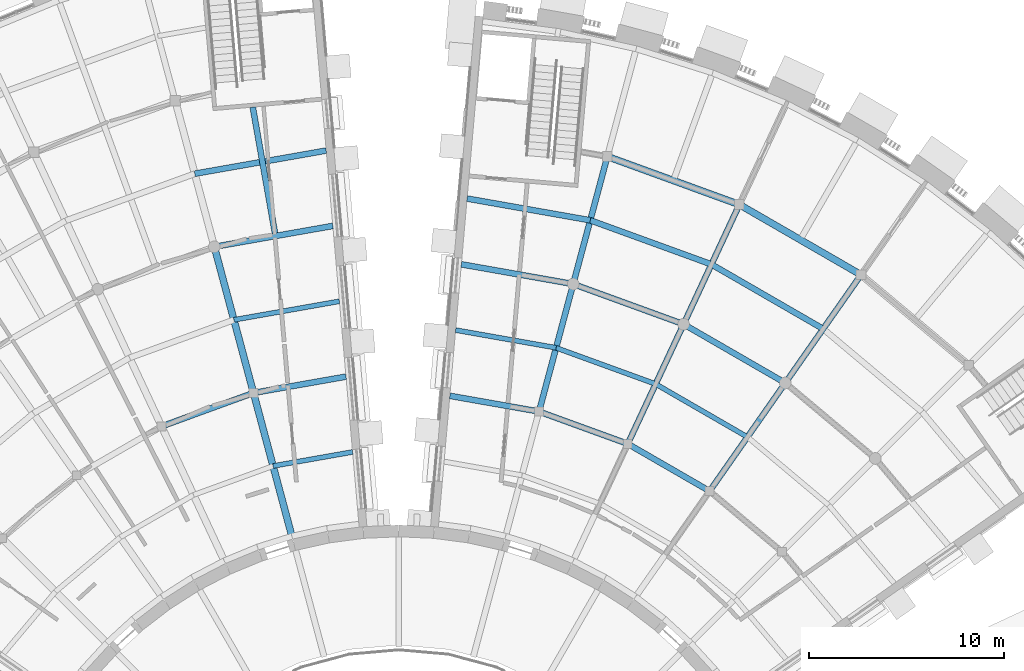
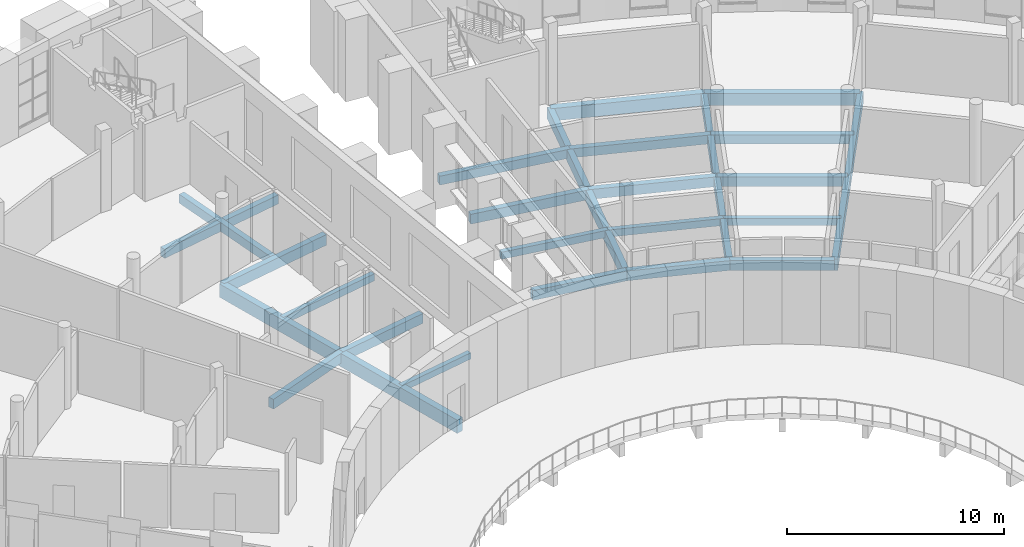
# One storey, part 12 of 50: 29 beams.
"""IFC4 building model written with IfcOpenShell, lengths in metres."""

import ifcopenshell
import ifcopenshell.guid

model = None  # the IFC model being written
_history = None  # IfcOwnerHistory: only IFC2X3 demands one
_inside = {}  # id of a spatial element -> (the spatial element, [elements in it])
_under = {}  # id of a project, library or spatial element -> (it, [spatial elements below it])
_declared = {}  # id of a project -> (the project, [libraries it declares])
_typed = {}  # id of a type object -> (the type object, [elements of that type])
_made_of = {}  # id of a material, layer set ... -> (it, [elements and type objects made of it])


def new_model(schema):
    """Start an empty IFC model of exactly this schema.

    Asked for "IFC4X3", IfcOpenShell would pick the latest addendum, in which some entities
    have other attributes; the version numbers below select the first issue.
    IFC2X3 requires an IfcOwnerHistory on every rooted entity: one is made here for all.
    """
    global model, _history
    if schema == "IFC4X3":
        model = ifcopenshell.file(schema_version=(4, 3, 0, 0))
    else:
        model = ifcopenshell.file(schema=schema)
    _inside.clear()
    _under.clear()
    _declared.clear()
    _typed.clear()
    _made_of.clear()
    _history = None
    if model.schema == "IFC2X3":
        org = make("IfcOrganization", Name="unknown")
        user = make(
            "IfcPersonAndOrganization",
            ThePerson=make("IfcPerson", FamilyName="unknown"),
            TheOrganization=org,
        )
        app = make(
            "IfcApplication",
            ApplicationDeveloper=org,
            Version="unknown",
            ApplicationFullName="unknown",
            ApplicationIdentifier="unknown",
        )
        _history = make(
            "IfcOwnerHistory",
            OwningUser=user,
            OwningApplication=app,
            ChangeAction="ADDED",
            CreationDate=0,
        )
    return model


def make(cls, **values):
    """One entity of the class cls with the attributes given. An attribute that is None is left unset."""
    return model.create_entity(
        cls, **{name: value for name, value in values.items() if value is not None}
    )


def rooted(cls, **values):
    """An entity with a GlobalId (a new one), such as an element, a storey or a relation."""
    return make(cls, GlobalId=ifcopenshell.guid.new(), OwnerHistory=_history, **values)


def si_unit(unit_type, name, prefix=None):
    """IfcSIUnit, for example si_unit("LENGTHUNIT", "METRE", prefix="MILLI")."""
    return make("IfcSIUnit", UnitType=unit_type, Prefix=prefix, Name=name)


def assignment(units):
    """IfcUnitAssignment: the units of a project."""
    return None if units is None else make("IfcUnitAssignment", Units=units)


def point(xyz):
    """IfcCartesianPoint."""
    return None if xyz is None else make("IfcCartesianPoint", Coordinates=xyz)


def direction(xyz):
    """IfcDirection."""
    return None if xyz is None else make("IfcDirection", DirectionRatios=xyz)


def frame(location, z_axis=None, x_axis=None):
    """IfcAxis2Placement3D, a coordinate frame: its origin and axes. An axis left out is left unset."""
    return make(
        "IfcAxis2Placement3D",
        Location=point(location),
        Axis=direction(z_axis),
        RefDirection=direction(x_axis),
    )


def frame_2d(location, x_axis=None):
    """IfcAxis2Placement2D, a coordinate frame in the plane: its origin and x axis."""
    return make(
        "IfcAxis2Placement2D", Location=point(location), RefDirection=direction(x_axis)
    )


def origin():
    """The frame at (0, 0, 0) with its axes left unset."""
    return frame((0.0, 0.0, 0.0))


def origin_2d():
    """The frame at (0, 0) in the plane with its x axis left unset."""
    return frame_2d((0.0, 0.0))


def place(relative_to, where):
    """IfcLocalPlacement: puts the frame where relative to a parent placement (None: the world)."""
    return make(
        "IfcLocalPlacement", PlacementRelTo=relative_to, RelativePlacement=where
    )


def context(
    kind, dimensions, precision=None, world=None, true_north=None, identifier=None
):
    """IfcGeometricRepresentationContext, for example the 3D "Model" context."""
    return make(
        "IfcGeometricRepresentationContext",
        ContextIdentifier=identifier,
        ContextType=kind,
        CoordinateSpaceDimension=dimensions,
        Precision=precision,
        WorldCoordinateSystem=world,
        TrueNorth=true_north,
    )


def subcontext(parent, identifier, kind, view, scale=None):
    """IfcGeometricRepresentationSubContext, for example "Body" below "Model"."""
    return make(
        "IfcGeometricRepresentationSubContext",
        ContextIdentifier=identifier,
        ContextType=kind,
        ParentContext=parent,
        TargetScale=scale,
        TargetView=view,
    )


def project(units=None, contexts=None):
    """IfcProject with its units and contexts."""
    return rooted(
        "IfcProject",
        Name="project",
        RepresentationContexts=contexts,
        UnitsInContext=assignment(units),
    )


def spatial(cls, under=None, at=None, **own):
    """A site, building, storey or space (cls), placed at a placement, below another one or the project."""
    s = rooted(cls, ObjectPlacement=at, **own)
    if under is not None:
        _under.setdefault(under.id(), (under, []))[1].append(s)
    return s


def profile(cls, at=None, kind="AREA", **sizes):
    """A parametric profile (cls). Its sizes go by their IFC names, for example OverallWidth=200.0."""
    return make(cls, ProfileType=kind, Position=at, **sizes)


def rectangle(**sizes):
    """IfcRectangleProfileDef."""
    return profile("IfcRectangleProfileDef", **sizes)


def extrude(swept, where, along, depth):
    """IfcExtrudedAreaSolid: the profile swept, set in the frame where, extruded along a direction by depth."""
    return make(
        "IfcExtrudedAreaSolid",
        SweptArea=swept,
        Position=where,
        ExtrudedDirection=direction(along),
        Depth=depth,
    )


def shape(context_of_items, identifier, shape_type, items):
    """IfcShapeRepresentation: the items that make up one representation, for example the "Body"."""
    return make(
        "IfcShapeRepresentation",
        ContextOfItems=context_of_items,
        RepresentationIdentifier=identifier,
        RepresentationType=shape_type,
        Items=items,
    )


def material(Name=None, Category=None):
    """IfcMaterial."""
    return make("IfcMaterial", Name=Name, Category=Category)


def material_profile(
    of_material, cross_section, Name=None, Category=None, Priority=None
):
    """IfcMaterialProfile: a cross section and its material."""
    return make(
        "IfcMaterialProfile",
        Name=Name,
        Material=of_material,
        Profile=cross_section,
        Priority=Priority,
        Category=Category,
    )


def profile_set(profiles, Name=None, composite=None):
    """IfcMaterialProfileSet."""
    return make(
        "IfcMaterialProfileSet",
        Name=Name,
        MaterialProfiles=profiles,
        CompositeProfile=composite,
    )


def made_of(thing, what):
    """Note that an element or type object is made of a material, layer set ...; save() writes the relation."""
    if what is not None:
        _made_of.setdefault(what.id(), (what, []))[1].append(thing)
    return thing


def type_object(cls, material=None, **own):
    """A type object (cls), such as IfcWallType, which elements share."""
    return made_of(rooted(cls, **own), material)


def element(
    cls,
    number,
    at=None,
    inside=None,
    cuts=None,
    type_object=None,
    material=None,
    context=None,
    identifier="Body",
    shape_type=None,
    held_by="IfcProductDefinitionShape",
    body=None,
    shapes=None,
    **own,
):
    """One element of the class cls, such as IfcWall. Its Tag is "e" and its number.

    at: its placement. inside: the storey or other place that contains it. cuts: it is an
    opening in that element (IfcRelVoidsElement). A single representation is given by context,
    identifier, shape_type and body (its items); several are given by shapes. held_by: the class
    of the entity that holds the representations. save() writes the other relations.
    """
    e = rooted(cls, Tag="e%d" % number, ObjectPlacement=at, **own)
    if body is not None:
        shapes = [shape(context, identifier, shape_type, body)]
    if shapes is not None:
        e.Representation = make(held_by, Representations=shapes)
    if inside is not None:
        _inside.setdefault(inside.id(), (inside, []))[1].append(e)
    if cuts is not None:
        rooted(
            "IfcRelVoidsElement", RelatingBuildingElement=cuts, RelatedOpeningElement=e
        )
    if type_object is not None:
        _typed.setdefault(type_object.id(), (type_object, []))[1].append(e)
    return made_of(e, material)


def aggregate(whole, parts):
    """IfcRelAggregates: a whole, such as a stair, and the parts it consists of."""
    return rooted("IfcRelAggregates", RelatingObject=whole, RelatedObjects=parts)


def save(model, path):
    """Write the relations noted so far, then the file.

    IfcRelAggregates (storeys below a building ...), IfcRelContainedInSpatialStructure (elements
    in a storey), IfcRelDefinesByType, IfcRelAssociatesMaterial and IfcRelDeclares: one each for
    every whole, place, type object, material and project.
    """
    for whole, parts in _under.values():
        aggregate(whole, parts)
    for where, things in _inside.values():
        rooted(
            "IfcRelContainedInSpatialStructure",
            RelatedElements=things,
            RelatingStructure=where,
        )
    for kind, things in _typed.values():
        rooted("IfcRelDefinesByType", RelatedObjects=things, RelatingType=kind)
    for what, things in _made_of.values():
        rooted("IfcRelAssociatesMaterial", RelatedObjects=things, RelatingMaterial=what)
    for by, libraries in _declared.values():
        rooted("IfcRelDeclares", RelatingContext=by, RelatedDefinitions=libraries)
    model.write(path)


model = new_model("IFC4")

# Units and contexts
model_context = context("Model", 3, precision=1e-05, world=origin(), true_north=direction((0.0, 1.0)))
body_context = subcontext(model_context, "Body", "Model", "MODEL_VIEW")
ifc_project = project(units=[si_unit("LENGTHUNIT", "METRE"), si_unit("AREAUNIT", "SQUARE_METRE"), si_unit("VOLUMEUNIT", "CUBIC_METRE"), si_unit("PLANEANGLEUNIT", "RADIAN"), si_unit("MASSUNIT", "GRAM", prefix="KILO")], contexts=[model_context])

# Site, building, storey
site_placement = place(None, origin())
site = spatial("IfcSite", under=ifc_project, at=site_placement, CompositionType="ELEMENT")
building_placement = place(site_placement, origin())
building = spatial("IfcBuilding", under=site, at=building_placement, Name="Volute Hill Aquarium", CompositionType="ELEMENT")
storey_placement = place(building_placement, frame((0.0, 0.0, 9.199951171875)))
storey = spatial("IfcBuildingStorey", under=building, at=storey_placement, Name="L03", CompositionType="ELEMENT", Elevation=9.199951171875)

# Beams
ifc_material_1 = material(Name="Concrete C35/45", Category="concrete")
ifc_material_profile_1 = material_profile(ifc_material_1, rectangle(XDim=0.300048828125, YDim=0.550048828125, at=origin_2d()), Name="RC beam 300x550")
ifc_profile_set_1 = profile_set([ifc_material_profile_1], Name="Concrete C35/45")
beam_type_1 = type_object("IfcBeamType", Name="Beam 300x550 C35/45", PredefinedType="BEAM", material=ifc_profile_set_1)
beam_1_placement = place(storey_placement, frame((15.923828125, 22.74169921875, -0.56494140625), z_axis=(-0.866020919347, 0.500007767194, 0.0), x_axis=(-0.500007767194, -0.866020919347, 0.0)))
element("IfcBeam", 1, at=beam_1_placement, inside=storey, type_object=beam_type_1, Name="bm/S5/L03/ring1.19", PredefinedType="BEAM", context=body_context, shape_type="SweptSolid", body=[
    extrude(rectangle(XDim=0.300048828125, YDim=0.550048828125, at=origin_2d()), origin(), (0.0, 0.0, 1.0), 4.83935546875),
])
beam_2_placement = place(storey_placement, frame((11.73291015625, 25.161376953125, -0.56494140625), z_axis=(-0.939697640454, 0.342006351586, 0.0), x_axis=(-0.342006351586, -0.939697640454, 0.0)))
element("IfcBeam", 2, at=beam_2_placement, inside=storey, type_object=beam_type_1, Name="bm/S5/L03/ring1.20", PredefinedType="BEAM", context=body_context, shape_type="SweptSolid", body=[
    extrude(rectangle(XDim=0.300048828125, YDim=0.550048828125, at=origin_2d()), origin(), (0.0, 0.0, 1.0), 4.839111328125),
])
beam_3_placement = place(storey_placement, frame((7.185546875, 26.81640625, -0.56494140625), z_axis=(-0.984801039026, 0.173686250269, 0.0), x_axis=(-0.173686250269, -0.984801039026, 0.0)))
element("IfcBeam", 3, at=beam_3_placement, inside=storey, type_object=beam_type_1, Name="bm/S5/L03/ring1.21", PredefinedType="BEAM", context=body_context, shape_type="SweptSolid", body=[
    extrude(rectangle(XDim=0.300048828125, YDim=0.550048828125, at=origin_2d()), origin(), (0.0, 0.0, 1.0), 4.638671875),
])
for number, where, z_axis, x_axis, name in (
    (4, (19.802734375, 28.28125, -0.56494140625), (-0.866030208905, 0.499991677195, 0.0), (-0.499991677195, -0.866030208905, 0.0), "bm/S5/L03/ring2.24"),
    (5, (14.5908203125, 31.290283203125, -0.56494140625), (-0.939687959922, 0.342032948673, 0.0), (-0.342032948673, -0.939687959922, 0.0), "bm/S5/L03/ring2.25"),
):
    element("IfcBeam", number, at=place(storey_placement, frame(where, z_axis=z_axis, x_axis=x_axis)), inside=storey, type_object=beam_type_1, Name=name, PredefinedType="BEAM", context=body_context, shape_type="SweptSolid", body=[
        extrude(rectangle(XDim=0.300048828125, YDim=0.550048828125, at=origin_2d()), origin(), (0.0, 0.0, 1.0), 6.01806640625),
    ])
beam_4_placement = place(storey_placement, frame((8.935791015625, 33.3486328125, -0.56494140625), z_axis=(-0.984812696983, 0.173620136684, 0.0), x_axis=(-0.173620136684, -0.984812696983, 0.0)))
element("IfcBeam", 6, at=beam_4_placement, inside=storey, type_object=beam_type_1, Name="bm/S5/L03/ring2.26", PredefinedType="BEAM", context=body_context, shape_type="SweptSolid", body=[
    extrude(rectangle(XDim=0.300048828125, YDim=0.550048828125, at=origin_2d()), origin(), (0.0, 0.0, 1.0), 5.8173828125),
])
beam_5_placement = place(storey_placement, frame((-2.703369140625, 28.605712890625, -0.594970703125), z_axis=(-0.984813177336, -0.17361741199, 0.0), x_axis=(0.17361741199, -0.984813177336, 0.0)))
element("IfcBeam", 7, at=beam_5_placement, inside=storey, type_object=beam_type_1, Name="bm/S6/L03/ring1.17", PredefinedType="BEAM", context=body_context, shape_type="SweptSolid", body=[
    extrude(rectangle(XDim=0.300048828125, YDim=0.550048828125, at=origin_2d()), origin(), (0.0, 0.0, 1.0), 4.810546875),
])
beam_6_placement = place(storey_placement, frame((-7.44091796875, 27.7705078125, -0.594970703125), z_axis=(-0.939692398763, -0.342020753329, 0.0), x_axis=(0.342020753329, -0.939692398763, 0.0)))
element("IfcBeam", 8, at=beam_6_placement, inside=storey, type_object=beam_type_1, Name="bm/S6/L03/ring1.18", PredefinedType="BEAM", context=body_context, shape_type="SweptSolid", body=[
    extrude(rectangle(XDim=0.300048828125, YDim=0.550048828125, at=origin_2d()), origin(), (0.0, 0.0, 1.0), 5.01171875),
])
ifc_material_2 = material(Name="Concrete C35/45", Category="concrete")
ifc_material_profile_2 = material_profile(ifc_material_2, rectangle(XDim=0.300048828125, YDim=0.60009765625, at=origin_2d()), Name="RC beam 300x600")
ifc_profile_set_2 = profile_set([ifc_material_profile_2], Name="Concrete C35/45")
beam_type_2 = type_object("IfcBeamType", Name="Beam 300x600 C35/45", PredefinedType="BEAM", material=ifc_profile_set_2)
beam_7_placement = place(storey_placement, frame((-3.37890625, 36.326171875, -0.619873046875), z_axis=(-0.984811866367, -0.173624848056, 0.0), x_axis=(0.173624848056, -0.984811866367, 0.0)))
element("IfcBeam", 9, at=beam_7_placement, inside=storey, type_object=beam_type_2, Name="bm/S6/L03/ring2.22", PredefinedType="BEAM", context=body_context, shape_type="SweptSolid", body=[
    extrude(rectangle(XDim=0.300048828125, YDim=0.60009765625, at=origin_2d()), origin(), (0.0, 0.0, 1.0), 6.16162109375),
])
ifc_material_3 = material(Name="Concrete C35/45", Category="concrete")
ifc_material_profile_3 = material_profile(ifc_material_3, rectangle(XDim=0.300048828125, YDim=0.64990234375, at=origin_2d()), Name="RC beam 300x650")
ifc_profile_set_3 = profile_set([ifc_material_profile_3], Name="Concrete C35/45")
beam_type_3 = type_object("IfcBeamType", Name="Beam 300x650 C35/45", PredefinedType="BEAM", material=ifc_profile_set_3)
beam_8_placement = place(storey_placement, frame((15.923828125, 22.74169921875, -0.614990234375), z_axis=(0.573583484669, 0.819147108959, 0.0), x_axis=(-0.819147108959, 0.573583484669, 0.0)))
element("IfcBeam", 10, at=beam_8_placement, inside=storey, type_object=beam_type_3, Name="bm/S5/L03/rad2.6", PredefinedType="BEAM", context=body_context, shape_type="SweptSolid", body=[
    extrude(rectangle(XDim=0.300048828125, YDim=0.64990234375, at=origin_2d()), origin(), (0.0, 0.0, 1.0), 6.7626953125),
])
for number, where, z_axis, x_axis, name in (
    (11, (19.802734375, 28.28125, -0.614990234375), (0.573559259618, 0.819164071299, 0.0), (-0.819164071299, 0.573559259618, 0.0), "bm/S5/L03/rad2.7"),
    (12, (11.73291015625, 25.161376953125, -0.614990234375), (0.422612703053, 0.906310379074, 0.0), (-0.906310379074, 0.422612703053, 0.0), "bm/S5/L03/rad3.10"),
):
    element("IfcBeam", number, at=place(storey_placement, frame(where, z_axis=z_axis, x_axis=x_axis)), inside=storey, type_object=beam_type_3, Name=name, PredefinedType="BEAM", context=body_context, shape_type="SweptSolid", body=[
        extrude(rectangle(XDim=0.300048828125, YDim=0.64990234375, at=origin_2d()), origin(), (0.0, 0.0, 1.0), 6.762451171875),
    ])
for number, where, z_axis, x_axis, name in (
    (13, (14.5908203125, 31.290283203125, -0.614990234375), (0.422642356692, 0.906296550986, 0.0), (-0.906296550986, 0.422642356692, 0.0), "bm/S5/L03/rad3.11"),
    (14, (7.185546875, 26.81640625, -0.614990234375), (0.258810671738, 0.965928069886, 0.0), (-0.965928069886, 0.258810671738, 0.0), "bm/S5/L03/rad4.14"),
):
    element("IfcBeam", number, at=place(storey_placement, frame(where, z_axis=z_axis, x_axis=x_axis)), inside=storey, type_object=beam_type_3, Name=name, PredefinedType="BEAM", context=body_context, shape_type="SweptSolid", body=[
        extrude(rectangle(XDim=0.300048828125, YDim=0.64990234375, at=origin_2d()), origin(), (0.0, 0.0, 1.0), 6.7626953125),
    ])
beam_9_placement = place(storey_placement, frame((8.935791015625, 33.3486328125, -0.614990234375), z_axis=(0.258819697111, 0.965925651584, 0.0), x_axis=(-0.965925651584, 0.258819697111, 0.0)))
element("IfcBeam", 15, at=beam_9_placement, inside=storey, type_object=beam_type_3, Name="bm/S5/L03/rad4.15", PredefinedType="BEAM", context=body_context, shape_type="SweptSolid", body=[
    extrude(rectangle(XDim=0.300048828125, YDim=0.64990234375, at=origin_2d()), origin(), (0.0, 0.0, 1.0), 6.762451171875),
])
ifc_material_4 = material(Name="Concrete C35/45", Category="concrete")
ifc_material_profile_4 = material_profile(ifc_material_4, rectangle(XDim=0.35009765625, YDim=0.699951171875, at=origin_2d()), Name="RC beam 350x700")
ifc_profile_set_4 = profile_set([ifc_material_profile_4], Name="Concrete C35/45")
beam_type_4 = type_object("IfcBeamType", Name="Beam 350x700 C35/45", PredefinedType="BEAM", material=ifc_profile_set_4)
beam_10_placement = place(storey_placement, frame((23.681396484375, 33.82080078125, -0.639892578125), z_axis=(-0.866019493664, 0.50001023649, 0.0), x_axis=(-0.50001023649, -0.866019493664, 0.0)))
element("IfcBeam", 16, at=beam_10_placement, inside=storey, type_object=beam_type_4, Name="bm/S5/L03/ring3.29", PredefinedType="BEAM", context=body_context, shape_type="SweptSolid", body=[
    extrude(rectangle(XDim=0.35009765625, YDim=0.699951171875, at=origin_2d()), origin(), (0.0, 0.0, 1.0), 7.196533203125),
])
beam_11_placement = place(storey_placement, frame((17.448974609375, 37.419189453125, -0.639892578125), z_axis=(-0.939696321717, 0.34200997493, 0.0), x_axis=(-0.34200997493, -0.939696321717, 0.0)))
element("IfcBeam", 17, at=beam_11_placement, inside=storey, type_object=beam_type_4, Name="bm/S5/L03/ring3.30", PredefinedType="BEAM", context=body_context, shape_type="SweptSolid", body=[
    extrude(rectangle(XDim=0.35009765625, YDim=0.699951171875, at=origin_2d()), origin(), (0.0, 0.0, 1.0), 7.197021484375),
])
ifc_material_5 = material(Name="Concrete C35/45", Category="concrete")
ifc_material_profile_5 = material_profile(ifc_material_5, rectangle(XDim=0.35009765625, YDim=0.75, at=origin_2d()), Name="RC beam 350x750")
ifc_profile_set_5 = profile_set([ifc_material_profile_5], Name="Concrete C35/45")
beam_type_5 = type_object("IfcBeamType", Name="Beam 350x750 C35/45", PredefinedType="BEAM", material=ifc_profile_set_5)
for number, where, z_axis, x_axis, name in (
    (18, (-5.435302734375, 20.284423828125, -0.695068359375), (-0.258785947631, 0.965934694122, 0.0), (-0.965934694122, -0.258785947631, 0.0), "bm/S6/L03/rad1.1"),
    (19, (-7.44091796875, 27.7705078125, -0.695068359375), (-0.258852606365, 0.965916832951, 0.0), (-0.965916832951, -0.258852606365, 0.0), "bm/S6/L03/rad1.2"),
):
    element("IfcBeam", number, at=place(storey_placement, frame(where, z_axis=z_axis, x_axis=x_axis)), inside=storey, type_object=beam_type_5, Name=name, PredefinedType="BEAM", context=body_context, shape_type="SweptSolid", body=[
        extrude(rectangle(XDim=0.35009765625, YDim=0.75, at=origin_2d()), origin(), (0.0, 0.0, 1.0), 7.75),
    ])
ifc_material_6 = material(Name="Concrete C35/45", Category="concrete")
ifc_material_profile_6 = material_profile(ifc_material_6, rectangle(XDim=0.25, YDim=0.35009765625, at=origin_2d()), Name="RC joist 250x350")
ifc_profile_set_6 = profile_set([ifc_material_profile_6], Name="Concrete C35/45")
beam_type_6 = type_object("IfcBeamType", Name="Joist 250x350 C35/45", PredefinedType="BEAM", material=ifc_profile_set_6)
beam_12_placement = place(storey_placement, frame((-2.36572265625, 24.745361328125, -0.494873046875), z_axis=(-0.984809106321, -0.173640502499, 0.0), x_axis=(0.173640502499, -0.984809106321, 0.0)))
element("IfcBeam", 20, at=beam_12_placement, inside=storey, type_object=beam_type_6, Name="bm/S6/L03/jst1", PredefinedType="BEAM", context=body_context, shape_type="SweptSolid", body=[
    extrude(rectangle(XDim=0.25, YDim=0.35009765625, at=origin_2d()), origin(), (0.0, 0.0, 1.0), 4.135009765625),
])
ifc_material_7 = material(Name="Concrete C35/45", Category="concrete")
ifc_material_profile_7 = material_profile(ifc_material_7, rectangle(XDim=0.25, YDim=0.39990234375, at=origin_2d()), Name="RC joist 250x400")
ifc_profile_set_7 = profile_set([ifc_material_profile_7], Name="Concrete C35/45")
beam_type_7 = type_object("IfcBeamType", Name="Joist 250x400 C35/45", PredefinedType="BEAM", material=ifc_profile_set_7)
for number, where, z_axis, x_axis, name in (
    (21, (17.86328125, 25.511474609375, -0.489990234375), (-0.866026068486, 0.499998848701, 0.0), (-0.499998848701, -0.866026068486, 0.0), "bm/S5/L03/jst8"),
    (22, (13.161865234375, 28.225830078125, -0.489990234375), (-0.939694905115, 0.342013867117, 0.0), (-0.342013867117, -0.939694905115, 0.0), "bm/S5/L03/jst9"),
):
    element("IfcBeam", number, at=place(storey_placement, frame(where, z_axis=z_axis, x_axis=x_axis)), inside=storey, type_object=beam_type_7, Name=name, PredefinedType="BEAM", context=body_context, shape_type="SweptSolid", body=[
        extrude(rectangle(XDim=0.25, YDim=0.39990234375, at=origin_2d()), origin(), (0.0, 0.0, 1.0), 5.4287109375),
    ])
beam_13_placement = place(storey_placement, frame((8.060546875, 30.08251953125, -0.489990234375), z_axis=(-0.984810814514, 0.17363081413, 0.0), x_axis=(-0.17363081413, -0.984810814514, 0.0)))
element("IfcBeam", 23, at=beam_13_placement, inside=storey, type_object=beam_type_7, Name="bm/S5/L03/jst10", PredefinedType="BEAM", context=body_context, shape_type="SweptSolid", body=[
    extrude(rectangle(XDim=0.25, YDim=0.39990234375, at=origin_2d()), origin(), (0.0, 0.0, 1.0), 5.227783203125),
])
beam_14_placement = place(storey_placement, frame((-3.041259765625, 32.466064453125, -0.52001953125), z_axis=(-0.984801025602, -0.173686326386, 0.0), x_axis=(0.173686326386, -0.984801025602, 0.0)))
element("IfcBeam", 24, at=beam_14_placement, inside=storey, type_object=beam_type_7, Name="bm/S6/L03/jst6", PredefinedType="BEAM", context=body_context, shape_type="SweptSolid", body=[
    extrude(rectangle(XDim=0.25, YDim=0.39990234375, at=origin_2d()), origin(), (0.0, 0.0, 1.0), 5.486328125),
])
ifc_material_8 = material(Name="Concrete C35/45", Category="concrete")
ifc_material_profile_8 = material_profile(ifc_material_8, rectangle(XDim=0.300048828125, YDim=0.5, at=origin_2d()), Name="RC joist 300x500")
ifc_profile_set_8 = profile_set([ifc_material_profile_8], Name="Concrete C35/45")
beam_type_8 = type_object("IfcBeamType", Name="Joist 300x500 C35/45", PredefinedType="BEAM", material=ifc_profile_set_8)
beam_15_placement = place(storey_placement, frame((21.7421875, 31.051025390625, -0.5400390625), z_axis=(-0.866024373554, 0.500001784407, 0.0), x_axis=(-0.500001784407, -0.866024373554, 0.0)))
element("IfcBeam", 25, at=beam_15_placement, inside=storey, type_object=beam_type_8, Name="bm/S5/L03/jst13", PredefinedType="BEAM", context=body_context, shape_type="SweptSolid", body=[
    extrude(rectangle(XDim=0.300048828125, YDim=0.5, at=origin_2d()), origin(), (0.0, 0.0, 1.0), 6.607421875),
])
beam_16_placement = place(storey_placement, frame((16.02001953125, 34.354736328125, -0.5400390625), z_axis=(-0.939702773043, 0.34199224894, 0.0), x_axis=(-0.34199224894, -0.939702773043, 0.0)))
element("IfcBeam", 26, at=beam_16_placement, inside=storey, type_object=beam_type_8, Name="bm/S5/L03/jst14", PredefinedType="BEAM", context=body_context, shape_type="SweptSolid", body=[
    extrude(rectangle(XDim=0.300048828125, YDim=0.5, at=origin_2d()), origin(), (0.0, 0.0, 1.0), 6.607666015625),
])
beam_17_placement = place(storey_placement, frame((9.810791015625, 36.614501953125, -0.5400390625), z_axis=(-0.984806568003, 0.173654898053, 0.0), x_axis=(-0.173654898053, -0.984806568003, 0.0)))
element("IfcBeam", 27, at=beam_17_placement, inside=storey, type_object=beam_type_8, Name="bm/S5/L03/jst15", PredefinedType="BEAM", context=body_context, shape_type="SweptSolid", body=[
    extrude(rectangle(XDim=0.300048828125, YDim=0.5, at=origin_2d()), origin(), (0.0, 0.0, 1.0), 6.40673828125),
])
beam_18_placement = place(storey_placement, frame((-3.716552734375, 40.1865234375, -0.570068359375), z_axis=(-0.984807275484, -0.173650885843, 0.0), x_axis=(0.173650885843, -0.984807275484, 0.0)))
element("IfcBeam", 28, at=beam_18_placement, inside=storey, type_object=beam_type_8, Name="bm/S6/L03/jst11", PredefinedType="BEAM", context=body_context, shape_type="SweptSolid", body=[
    extrude(rectangle(XDim=0.300048828125, YDim=0.5, at=origin_2d()), origin(), (0.0, 0.0, 1.0), 6.8369140625),
])
beam_19_placement = place(storey_placement, frame((-6.338134765625, 35.945556640625, -0.570068359375), z_axis=(-0.173626192021, 0.984811629422, 0.0), x_axis=(-0.984811629422, -0.173626192021, 0.0)))
element("IfcBeam", 29, at=beam_19_placement, inside=storey, type_object=beam_type_8, Name="bm/S6/L03/rjst1", PredefinedType="BEAM", context=body_context, shape_type="SweptSolid", body=[
    extrude(rectangle(XDim=0.300048828125, YDim=0.5, at=origin_2d()), origin(), (0.0, 0.0, 1.0), 6.563720703125),
])

save(model, "model.ifc")
